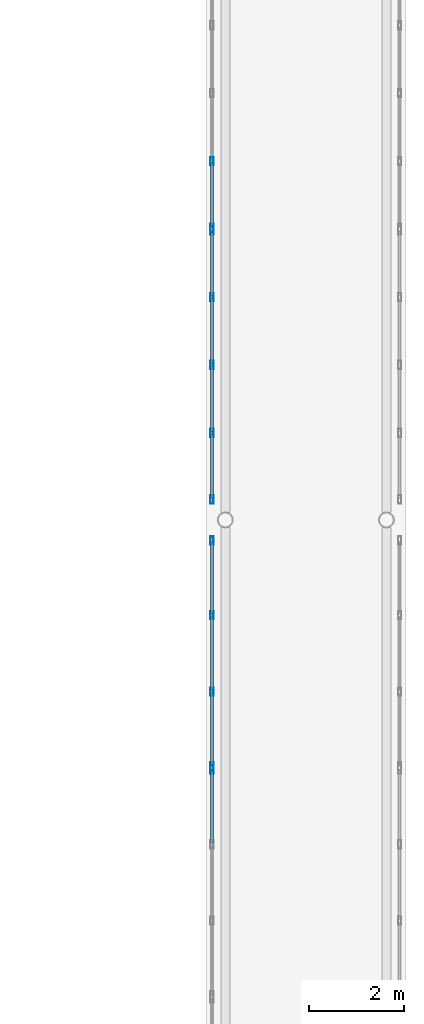
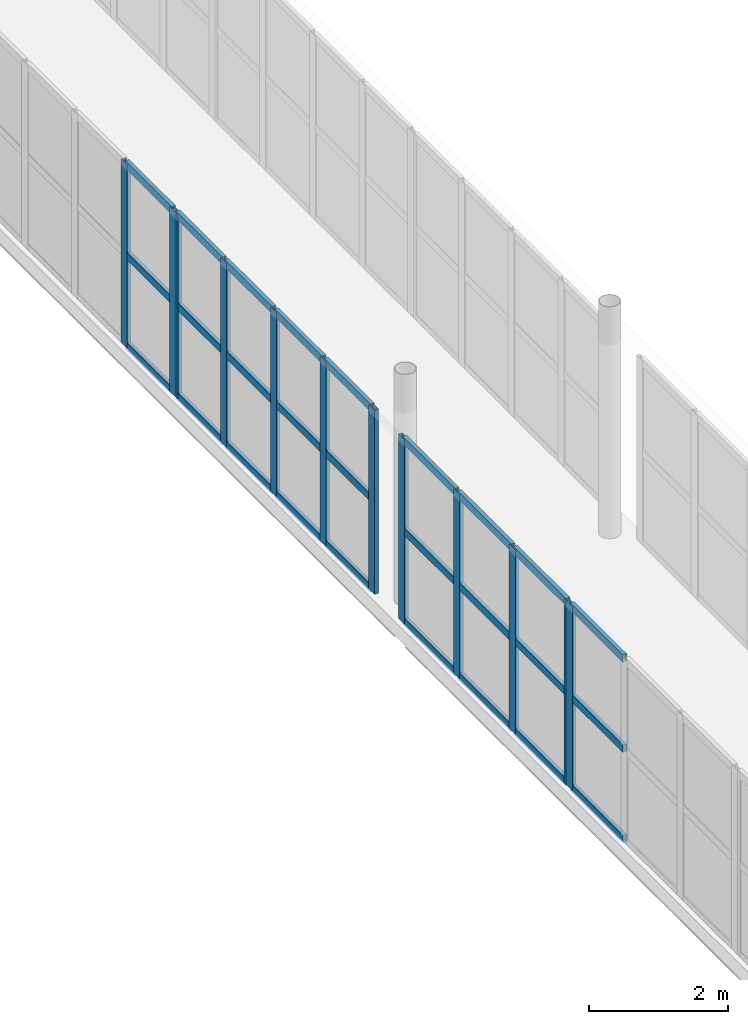
# One storey, part 44 of 146: 39 members, 4 elements without a shape of their own.
"""IFC4 building model written with IfcOpenShell, lengths in metres."""

from ifc_helpers import new_model, si_unit, direction, frame, origin, origin_2d, place, context, subcontext, project, spatial, hollow_rectangle, extrude, material, layer, layer_set, material_profile, profile_set, type_object, element, aggregate, save


model = new_model("IFC4")

# Units and contexts
model_context = context("Model", 3, precision=1e-05, world=origin(), true_north=direction((0.0, 1.0)))
body_context = subcontext(model_context, "Body", "Model", "MODEL_VIEW")
ifc_project = project(units=[si_unit("LENGTHUNIT", "METRE"), si_unit("AREAUNIT", "SQUARE_METRE"), si_unit("VOLUMEUNIT", "CUBIC_METRE"), si_unit("PLANEANGLEUNIT", "RADIAN"), si_unit("MASSUNIT", "GRAM", prefix="KILO")], contexts=[model_context])

# Site, building, storey
site_placement = place(None, origin())
site = spatial("IfcSite", under=ifc_project, at=site_placement, CompositionType="ELEMENT")
building_placement = place(site_placement, origin())
building = spatial("IfcBuilding", under=site, at=building_placement, Name="Valcora Specialist Clinic", CompositionType="ELEMENT")
storey_placement = place(building_placement, frame((0.0, 0.0, 9.52001953125)))
storey = spatial("IfcBuildingStorey", under=building, at=storey_placement, Name="L02", CompositionType="ELEMENT", Elevation=9.52001953125)

# Curtain wall, member
ifc_material = material(Name="Anodized Bronze Aluminium 6063-T6", Category="aluminium")
ifc_layer = layer(ifc_material, 0.175048828125)
ifc_layer_set = layer_set([ifc_layer], Name="Anodized Bronze Aluminium 6063-T6")
curtain_wall_type = type_object("IfcCurtainWallType", Name="TY-CW-BRG14", PredefinedType="NOTDEFINED", material=ifc_layer_set)
curtain_wall_1_placement = place(storey_placement, origin())
curtain_wall_1 = element("IfcCurtainWall", 1, at=curtain_wall_1_placement, inside=storey, type_object=curtain_wall_type, Name="Curtain wall CW-L02-250", PredefinedType="NOTDEFINED")
ifc_material_profile_1 = material_profile(ifc_material, hollow_rectangle(XDim=0.06494140625, YDim=0.175048828125, WallThickness=0.00390625, at=origin_2d()), Name="AL-MUL-65X175")
ifc_profile_set_1 = profile_set([ifc_material_profile_1], Name="Anodized Bronze Aluminium 6063-T6")
member_type_1 = type_object("IfcMemberType", Name="TY-CWM-65X175", PredefinedType="MULLION", material=ifc_profile_set_1)
member_1_placement = place(storey_placement, frame((61.320068359375, 32.734130859375, 0.0), z_axis=(0.0, 0.0, 1.0), x_axis=(-1.0, 0.0, 0.0)))
member_1 = element("IfcMember", 2, at=member_1_placement, type_object=member_type_1, Name="CW-BRG-14 mullion 4", PredefinedType="MULLION", context=body_context, shape_type="SweptSolid", body=[
    extrude(hollow_rectangle(XDim=0.06494140625, YDim=0.175048828125, WallThickness=0.00390625, at=origin_2d()), origin(), (0.0, 0.0, 1.0), 3.239990234375),
])

# Curtain wall, members
curtain_wall_2_placement = place(storey_placement, origin())
curtain_wall_2 = element("IfcCurtainWall", 3, at=curtain_wall_2_placement, inside=storey, type_object=curtain_wall_type, Name="Curtain wall CW-L02-251", PredefinedType="NOTDEFINED")
member_2_placement = place(storey_placement, frame((61.320068359375, 32.79931640625, 0.0), z_axis=(0.0, 0.0, 1.0), x_axis=(-1.0, 0.0, 0.0)))
member_2 = element("IfcMember", 4, at=member_2_placement, type_object=member_type_1, Name="CW-BRG-14 mullion 1", PredefinedType="MULLION", context=body_context, shape_type="SweptSolid", body=[
    extrude(hollow_rectangle(XDim=0.06494140625, YDim=0.175048828125, WallThickness=0.00390625, at=origin_2d()), origin(), (0.0, 0.0, 1.0), 3.239990234375),
])
member_3_placement = place(storey_placement, frame((61.320068359375, 34.377685546875, 0.0), z_axis=(0.0, 0.0, 1.0), x_axis=(-1.0, 0.0, 0.0)))
member_3 = element("IfcMember", 5, at=member_3_placement, type_object=member_type_1, Name="CW-BRG-14 mullion 2", PredefinedType="MULLION", context=body_context, shape_type="SweptSolid", body=[
    extrude(hollow_rectangle(XDim=0.06494140625, YDim=0.175048828125, WallThickness=0.00390625, at=origin_2d()), origin(), (0.0, 0.0, 1.0), 3.239990234375),
])
member_4_placement = place(storey_placement, frame((61.320068359375, 35.989013671875, 0.0), z_axis=(0.0, 0.0, 1.0), x_axis=(-1.0, 0.0, 0.0)))
member_4 = element("IfcMember", 6, at=member_4_placement, type_object=member_type_1, Name="CW-BRG-14 mullion 3", PredefinedType="MULLION", context=body_context, shape_type="SweptSolid", body=[
    extrude(hollow_rectangle(XDim=0.06494140625, YDim=0.175048828125, WallThickness=0.00390625, at=origin_2d()), origin(), (0.0, 0.0, 1.0), 3.239990234375),
])
member_5_placement = place(storey_placement, frame((61.320068359375, 37.5673828125, 0.0), z_axis=(0.0, 0.0, 1.0), x_axis=(-1.0, 0.0, 0.0)))
member_5 = element("IfcMember", 7, at=member_5_placement, type_object=member_type_1, Name="CW-BRG-14 mullion 4", PredefinedType="MULLION", context=body_context, shape_type="SweptSolid", body=[
    extrude(hollow_rectangle(XDim=0.06494140625, YDim=0.175048828125, WallThickness=0.00390625, at=origin_2d()), origin(), (0.0, 0.0, 1.0), 3.239990234375),
])

curtain_wall_3_placement = place(storey_placement, origin())
curtain_wall_3 = element("IfcCurtainWall", 8, at=curtain_wall_3_placement, inside=storey, type_object=curtain_wall_type, Name="Curtain wall CW-L02-252", PredefinedType="NOTDEFINED")
member_6_placement = place(storey_placement, frame((61.320068359375, 38.4326171875, 0.0), z_axis=(0.0, 0.0, 1.0), x_axis=(-1.0, 0.0, 0.0)))
member_6 = element("IfcMember", 9, at=member_6_placement, type_object=member_type_1, Name="CW-BRG-14 mullion 1", PredefinedType="MULLION", context=body_context, shape_type="SweptSolid", body=[
    extrude(hollow_rectangle(XDim=0.06494140625, YDim=0.175048828125, WallThickness=0.00390625, at=origin_2d()), origin(), (0.0, 0.0, 1.0), 3.239990234375),
])
member_7_placement = place(storey_placement, frame((61.320068359375, 39.833251953125, 0.0), z_axis=(0.0, 0.0, 1.0), x_axis=(-1.0, 0.0, 0.0)))
member_7 = element("IfcMember", 10, at=member_7_placement, type_object=member_type_1, Name="CW-BRG-14 mullion 2", PredefinedType="MULLION", context=body_context, shape_type="SweptSolid", body=[
    extrude(hollow_rectangle(XDim=0.06494140625, YDim=0.175048828125, WallThickness=0.00390625, at=origin_2d()), origin(), (0.0, 0.0, 1.0), 3.239990234375),
])
member_8_placement = place(storey_placement, frame((61.320068359375, 41.2666015625, 0.0), z_axis=(0.0, 0.0, 1.0), x_axis=(-1.0, 0.0, 0.0)))
member_8 = element("IfcMember", 11, at=member_8_placement, type_object=member_type_1, Name="CW-BRG-14 mullion 3", PredefinedType="MULLION", context=body_context, shape_type="SweptSolid", body=[
    extrude(hollow_rectangle(XDim=0.06494140625, YDim=0.175048828125, WallThickness=0.00390625, at=origin_2d()), origin(), (0.0, 0.0, 1.0), 3.239990234375),
])
member_9_placement = place(storey_placement, frame((61.320068359375, 42.699951171875, 0.0), z_axis=(0.0, 0.0, 1.0), x_axis=(-1.0, 0.0, 0.0)))
member_9 = element("IfcMember", 12, at=member_9_placement, type_object=member_type_1, Name="CW-BRG-14 mullion 4", PredefinedType="MULLION", context=body_context, shape_type="SweptSolid", body=[
    extrude(hollow_rectangle(XDim=0.06494140625, YDim=0.175048828125, WallThickness=0.00390625, at=origin_2d()), origin(), (0.0, 0.0, 1.0), 3.239990234375),
])
member_10_placement = place(storey_placement, frame((61.320068359375, 44.100830078125, 0.0), z_axis=(0.0, 0.0, 1.0), x_axis=(-1.0, 0.0, 0.0)))
member_10 = element("IfcMember", 13, at=member_10_placement, type_object=member_type_1, Name="CW-BRG-14 mullion 5", PredefinedType="MULLION", context=body_context, shape_type="SweptSolid", body=[
    extrude(hollow_rectangle(XDim=0.06494140625, YDim=0.175048828125, WallThickness=0.00390625, at=origin_2d()), origin(), (0.0, 0.0, 1.0), 3.239990234375),
])

curtain_wall_4_placement = place(storey_placement, origin())
curtain_wall_4 = element("IfcCurtainWall", 14, at=curtain_wall_4_placement, inside=storey, type_object=curtain_wall_type, Name="Curtain wall CW-L02-253", PredefinedType="NOTDEFINED")
member_11_placement = place(storey_placement, frame((61.320068359375, 44.165771484375, 0.0), z_axis=(0.0, 0.0, 1.0), x_axis=(-1.0, 0.0, 0.0)))
member_11 = element("IfcMember", 15, at=member_11_placement, type_object=member_type_1, Name="CW-BRG-14 mullion 1", PredefinedType="MULLION", context=body_context, shape_type="SweptSolid", body=[
    extrude(hollow_rectangle(XDim=0.06494140625, YDim=0.175048828125, WallThickness=0.00390625, at=origin_2d()), origin(), (0.0, 0.0, 1.0), 3.239990234375),
])
member_12_placement = place(storey_placement, frame((61.320068359375, 45.566650390625, 0.0), z_axis=(0.0, 0.0, 1.0), x_axis=(-1.0, 0.0, 0.0)))
member_12 = element("IfcMember", 16, at=member_12_placement, type_object=member_type_1, Name="CW-BRG-14 mullion 2", PredefinedType="MULLION", context=body_context, shape_type="SweptSolid", body=[
    extrude(hollow_rectangle(XDim=0.06494140625, YDim=0.175048828125, WallThickness=0.00390625, at=origin_2d()), origin(), (0.0, 0.0, 1.0), 3.239990234375),
])

# Member
ifc_material_profile_2 = material_profile(ifc_material, hollow_rectangle(XDim=0.06494140625, YDim=0.1298828125, WallThickness=0.00390625, at=origin_2d()), Name="AL-TRN-65X130")
ifc_profile_set_2 = profile_set([ifc_material_profile_2], Name="Anodized Bronze Aluminium 6063-T6")
member_type_2 = type_object("IfcMemberType", Name="TY-CWT-65X130", PredefinedType="USERDEFINED", material=ifc_profile_set_2)
member_13_placement = place(storey_placement, frame((61.320068359375, 31.18798828125, 0.032470703125), z_axis=(0.0, 1.0, 0.0), x_axis=(-1.0, 0.0, 0.0)))
member_13 = element("IfcMember", 17, at=member_13_placement, type_object=member_type_2, Name="CW-BRG-14 transom 3.1", ObjectType="TRANSOM", PredefinedType="USERDEFINED", context=body_context, shape_type="SweptSolid", body=[
    extrude(hollow_rectangle(XDim=0.06494140625, YDim=0.1298828125, WallThickness=0.00390625, at=origin_2d()), origin(), (0.0, 0.0, 1.0), 1.513671875),
])

member_14_placement = place(storey_placement, frame((61.320068359375, 31.18798828125, 1.619873046875), z_axis=(0.0, 1.0, 0.0), x_axis=(-1.0, 0.0, 0.0)))
member_14 = element("IfcMember", 18, at=member_14_placement, type_object=member_type_2, Name="CW-BRG-14 transom 3.2", ObjectType="TRANSOM", PredefinedType="USERDEFINED", context=body_context, shape_type="SweptSolid", body=[
    extrude(hollow_rectangle(XDim=0.06494140625, YDim=0.1298828125, WallThickness=0.00390625, at=origin_2d()), origin(), (0.0, 0.0, 1.0), 1.513671875),
])

member_15_placement = place(storey_placement, frame((61.320068359375, 31.18798828125, 3.20751953125), z_axis=(0.0, 1.0, 0.0), x_axis=(-1.0, 0.0, 0.0)))
member_15 = element("IfcMember", 19, at=member_15_placement, type_object=member_type_2, Name="CW-BRG-14 transom 3.3", ObjectType="TRANSOM", PredefinedType="USERDEFINED", context=body_context, shape_type="SweptSolid", body=[
    extrude(hollow_rectangle(XDim=0.06494140625, YDim=0.1298828125, WallThickness=0.00390625, at=origin_2d()), origin(), (0.0, 0.0, 1.0), 1.513671875),
])

aggregate(curtain_wall_1, [member_1, member_13, member_14, member_15])

member_16_placement = place(storey_placement, frame((61.320068359375, 32.831787109375, 0.032470703125), z_axis=(0.0, 1.0, 0.0), x_axis=(-1.0, 0.0, 0.0)))
member_16 = element("IfcMember", 20, at=member_16_placement, type_object=member_type_2, Name="CW-BRG-14 transom 1.1", ObjectType="TRANSOM", PredefinedType="USERDEFINED", context=body_context, shape_type="SweptSolid", body=[
    extrude(hollow_rectangle(XDim=0.06494140625, YDim=0.1298828125, WallThickness=0.00390625, at=origin_2d()), origin(), (0.0, 0.0, 1.0), 1.513427734375),
])

member_17_placement = place(storey_placement, frame((61.320068359375, 32.831787109375, 1.619873046875), z_axis=(0.0, 1.0, 0.0), x_axis=(-1.0, 0.0, 0.0)))
member_17 = element("IfcMember", 21, at=member_17_placement, type_object=member_type_2, Name="CW-BRG-14 transom 1.2", ObjectType="TRANSOM", PredefinedType="USERDEFINED", context=body_context, shape_type="SweptSolid", body=[
    extrude(hollow_rectangle(XDim=0.06494140625, YDim=0.1298828125, WallThickness=0.00390625, at=origin_2d()), origin(), (0.0, 0.0, 1.0), 1.513427734375),
])

member_18_placement = place(storey_placement, frame((61.320068359375, 32.831787109375, 3.20751953125), z_axis=(0.0, 1.0, 0.0), x_axis=(-1.0, 0.0, 0.0)))
member_18 = element("IfcMember", 22, at=member_18_placement, type_object=member_type_2, Name="CW-BRG-14 transom 1.3", ObjectType="TRANSOM", PredefinedType="USERDEFINED", context=body_context, shape_type="SweptSolid", body=[
    extrude(hollow_rectangle(XDim=0.06494140625, YDim=0.1298828125, WallThickness=0.00390625, at=origin_2d()), origin(), (0.0, 0.0, 1.0), 1.513427734375),
])

member_19_placement = place(storey_placement, frame((61.320068359375, 34.410400390625, 0.032470703125), z_axis=(0.0, 1.0, 0.0), x_axis=(-1.0, 0.0, 0.0)))
member_19 = element("IfcMember", 23, at=member_19_placement, type_object=member_type_2, Name="CW-BRG-14 transom 2.1", ObjectType="TRANSOM", PredefinedType="USERDEFINED", context=body_context, shape_type="SweptSolid", body=[
    extrude(hollow_rectangle(XDim=0.06494140625, YDim=0.1298828125, WallThickness=0.00390625, at=origin_2d()), origin(), (0.0, 0.0, 1.0), 1.5458984375),
])

member_20_placement = place(storey_placement, frame((61.320068359375, 34.410400390625, 1.619873046875), z_axis=(0.0, 1.0, 0.0), x_axis=(-1.0, 0.0, 0.0)))
member_20 = element("IfcMember", 24, at=member_20_placement, type_object=member_type_2, Name="CW-BRG-14 transom 2.2", ObjectType="TRANSOM", PredefinedType="USERDEFINED", context=body_context, shape_type="SweptSolid", body=[
    extrude(hollow_rectangle(XDim=0.06494140625, YDim=0.1298828125, WallThickness=0.00390625, at=origin_2d()), origin(), (0.0, 0.0, 1.0), 1.5458984375),
])

member_21_placement = place(storey_placement, frame((61.320068359375, 34.410400390625, 3.20751953125), z_axis=(0.0, 1.0, 0.0), x_axis=(-1.0, 0.0, 0.0)))
member_21 = element("IfcMember", 25, at=member_21_placement, type_object=member_type_2, Name="CW-BRG-14 transom 2.3", ObjectType="TRANSOM", PredefinedType="USERDEFINED", context=body_context, shape_type="SweptSolid", body=[
    extrude(hollow_rectangle(XDim=0.06494140625, YDim=0.1298828125, WallThickness=0.00390625, at=origin_2d()), origin(), (0.0, 0.0, 1.0), 1.5458984375),
])

member_22_placement = place(storey_placement, frame((61.320068359375, 36.021484375, 0.032470703125), z_axis=(0.0, 1.0, 0.0), x_axis=(-1.0, 0.0, 0.0)))
member_22 = element("IfcMember", 26, at=member_22_placement, type_object=member_type_2, Name="CW-BRG-14 transom 3.1", ObjectType="TRANSOM", PredefinedType="USERDEFINED", context=body_context, shape_type="SweptSolid", body=[
    extrude(hollow_rectangle(XDim=0.06494140625, YDim=0.1298828125, WallThickness=0.00390625, at=origin_2d()), origin(), (0.0, 0.0, 1.0), 1.513427734375),
])

member_23_placement = place(storey_placement, frame((61.320068359375, 36.021484375, 1.619873046875), z_axis=(0.0, 1.0, 0.0), x_axis=(-1.0, 0.0, 0.0)))
member_23 = element("IfcMember", 27, at=member_23_placement, type_object=member_type_2, Name="CW-BRG-14 transom 3.2", ObjectType="TRANSOM", PredefinedType="USERDEFINED", context=body_context, shape_type="SweptSolid", body=[
    extrude(hollow_rectangle(XDim=0.06494140625, YDim=0.1298828125, WallThickness=0.00390625, at=origin_2d()), origin(), (0.0, 0.0, 1.0), 1.513427734375),
])

member_24_placement = place(storey_placement, frame((61.320068359375, 36.021484375, 3.20751953125), z_axis=(0.0, 1.0, 0.0), x_axis=(-1.0, 0.0, 0.0)))
member_24 = element("IfcMember", 28, at=member_24_placement, type_object=member_type_2, Name="CW-BRG-14 transom 3.3", ObjectType="TRANSOM", PredefinedType="USERDEFINED", context=body_context, shape_type="SweptSolid", body=[
    extrude(hollow_rectangle(XDim=0.06494140625, YDim=0.1298828125, WallThickness=0.00390625, at=origin_2d()), origin(), (0.0, 0.0, 1.0), 1.513427734375),
])

aggregate(curtain_wall_2, [member_2, member_3, member_4, member_5, member_16, member_17, member_18, member_19, member_20, member_21, member_22, member_23, member_24])

member_25_placement = place(storey_placement, frame((61.320068359375, 38.465087890625, 0.032470703125), z_axis=(0.0, 1.0, 0.0), x_axis=(-1.0, 0.0, 0.0)))
member_25 = element("IfcMember", 29, at=member_25_placement, type_object=member_type_2, Name="CW-BRG-14 transom 1.1", ObjectType="TRANSOM", PredefinedType="USERDEFINED", context=body_context, shape_type="SweptSolid", body=[
    extrude(hollow_rectangle(XDim=0.06494140625, YDim=0.1298828125, WallThickness=0.00390625, at=origin_2d()), origin(), (0.0, 0.0, 1.0), 1.335693359375),
])

member_26_placement = place(storey_placement, frame((61.320068359375, 38.465087890625, 1.619873046875), z_axis=(0.0, 1.0, 0.0), x_axis=(-1.0, 0.0, 0.0)))
member_26 = element("IfcMember", 30, at=member_26_placement, type_object=member_type_2, Name="CW-BRG-14 transom 1.2", ObjectType="TRANSOM", PredefinedType="USERDEFINED", context=body_context, shape_type="SweptSolid", body=[
    extrude(hollow_rectangle(XDim=0.06494140625, YDim=0.1298828125, WallThickness=0.00390625, at=origin_2d()), origin(), (0.0, 0.0, 1.0), 1.335693359375),
])

member_27_placement = place(storey_placement, frame((61.320068359375, 38.465087890625, 3.20751953125), z_axis=(0.0, 1.0, 0.0), x_axis=(-1.0, 0.0, 0.0)))
member_27 = element("IfcMember", 31, at=member_27_placement, type_object=member_type_2, Name="CW-BRG-14 transom 1.3", ObjectType="TRANSOM", PredefinedType="USERDEFINED", context=body_context, shape_type="SweptSolid", body=[
    extrude(hollow_rectangle(XDim=0.06494140625, YDim=0.1298828125, WallThickness=0.00390625, at=origin_2d()), origin(), (0.0, 0.0, 1.0), 1.335693359375),
])

member_28_placement = place(storey_placement, frame((61.320068359375, 39.86572265625, 0.032470703125), z_axis=(0.0, 1.0, 0.0), x_axis=(-1.0, 0.0, 0.0)))
member_28 = element("IfcMember", 32, at=member_28_placement, type_object=member_type_2, Name="CW-BRG-14 transom 2.1", ObjectType="TRANSOM", PredefinedType="USERDEFINED", context=body_context, shape_type="SweptSolid", body=[
    extrude(hollow_rectangle(XDim=0.06494140625, YDim=0.1298828125, WallThickness=0.00390625, at=origin_2d()), origin(), (0.0, 0.0, 1.0), 1.368408203125),
])

member_29_placement = place(storey_placement, frame((61.320068359375, 39.86572265625, 1.619873046875), z_axis=(0.0, 1.0, 0.0), x_axis=(-1.0, 0.0, 0.0)))
member_29 = element("IfcMember", 33, at=member_29_placement, type_object=member_type_2, Name="CW-BRG-14 transom 2.2", ObjectType="TRANSOM", PredefinedType="USERDEFINED", context=body_context, shape_type="SweptSolid", body=[
    extrude(hollow_rectangle(XDim=0.06494140625, YDim=0.1298828125, WallThickness=0.00390625, at=origin_2d()), origin(), (0.0, 0.0, 1.0), 1.368408203125),
])

member_30_placement = place(storey_placement, frame((61.320068359375, 39.86572265625, 3.20751953125), z_axis=(0.0, 1.0, 0.0), x_axis=(-1.0, 0.0, 0.0)))
member_30 = element("IfcMember", 34, at=member_30_placement, type_object=member_type_2, Name="CW-BRG-14 transom 2.3", ObjectType="TRANSOM", PredefinedType="USERDEFINED", context=body_context, shape_type="SweptSolid", body=[
    extrude(hollow_rectangle(XDim=0.06494140625, YDim=0.1298828125, WallThickness=0.00390625, at=origin_2d()), origin(), (0.0, 0.0, 1.0), 1.368408203125),
])

member_31_placement = place(storey_placement, frame((61.320068359375, 41.299072265625, 0.032470703125), z_axis=(0.0, 1.0, 0.0), x_axis=(-1.0, 0.0, 0.0)))
member_31 = element("IfcMember", 35, at=member_31_placement, type_object=member_type_2, Name="CW-BRG-14 transom 3.1", ObjectType="TRANSOM", PredefinedType="USERDEFINED", context=body_context, shape_type="SweptSolid", body=[
    extrude(hollow_rectangle(XDim=0.06494140625, YDim=0.1298828125, WallThickness=0.00390625, at=origin_2d()), origin(), (0.0, 0.0, 1.0), 1.368408203125),
])

member_32_placement = place(storey_placement, frame((61.320068359375, 41.299072265625, 1.619873046875), z_axis=(0.0, 1.0, 0.0), x_axis=(-1.0, 0.0, 0.0)))
member_32 = element("IfcMember", 36, at=member_32_placement, type_object=member_type_2, Name="CW-BRG-14 transom 3.2", ObjectType="TRANSOM", PredefinedType="USERDEFINED", context=body_context, shape_type="SweptSolid", body=[
    extrude(hollow_rectangle(XDim=0.06494140625, YDim=0.1298828125, WallThickness=0.00390625, at=origin_2d()), origin(), (0.0, 0.0, 1.0), 1.368408203125),
])

member_33_placement = place(storey_placement, frame((61.320068359375, 41.299072265625, 3.20751953125), z_axis=(0.0, 1.0, 0.0), x_axis=(-1.0, 0.0, 0.0)))
member_33 = element("IfcMember", 37, at=member_33_placement, type_object=member_type_2, Name="CW-BRG-14 transom 3.3", ObjectType="TRANSOM", PredefinedType="USERDEFINED", context=body_context, shape_type="SweptSolid", body=[
    extrude(hollow_rectangle(XDim=0.06494140625, YDim=0.1298828125, WallThickness=0.00390625, at=origin_2d()), origin(), (0.0, 0.0, 1.0), 1.368408203125),
])

member_34_placement = place(storey_placement, frame((61.320068359375, 42.732421875, 0.032470703125), z_axis=(0.0, 1.0, 0.0), x_axis=(-1.0, 0.0, 0.0)))
member_34 = element("IfcMember", 38, at=member_34_placement, type_object=member_type_2, Name="CW-BRG-14 transom 4.1", ObjectType="TRANSOM", PredefinedType="USERDEFINED", context=body_context, shape_type="SweptSolid", body=[
    extrude(hollow_rectangle(XDim=0.06494140625, YDim=0.1298828125, WallThickness=0.00390625, at=origin_2d()), origin(), (0.0, 0.0, 1.0), 1.3359375),
])

member_35_placement = place(storey_placement, frame((61.320068359375, 42.732421875, 1.619873046875), z_axis=(0.0, 1.0, 0.0), x_axis=(-1.0, 0.0, 0.0)))
member_35 = element("IfcMember", 39, at=member_35_placement, type_object=member_type_2, Name="CW-BRG-14 transom 4.2", ObjectType="TRANSOM", PredefinedType="USERDEFINED", context=body_context, shape_type="SweptSolid", body=[
    extrude(hollow_rectangle(XDim=0.06494140625, YDim=0.1298828125, WallThickness=0.00390625, at=origin_2d()), origin(), (0.0, 0.0, 1.0), 1.3359375),
])

member_36_placement = place(storey_placement, frame((61.320068359375, 42.732421875, 3.20751953125), z_axis=(0.0, 1.0, 0.0), x_axis=(-1.0, 0.0, 0.0)))
member_36 = element("IfcMember", 40, at=member_36_placement, type_object=member_type_2, Name="CW-BRG-14 transom 4.3", ObjectType="TRANSOM", PredefinedType="USERDEFINED", context=body_context, shape_type="SweptSolid", body=[
    extrude(hollow_rectangle(XDim=0.06494140625, YDim=0.1298828125, WallThickness=0.00390625, at=origin_2d()), origin(), (0.0, 0.0, 1.0), 1.3359375),
])

aggregate(curtain_wall_3, [member_6, member_7, member_8, member_9, member_10, member_25, member_26, member_27, member_28, member_29, member_30, member_31, member_32, member_33, member_34, member_35, member_36])

member_37_placement = place(storey_placement, frame((61.320068359375, 44.1982421875, 0.032470703125), z_axis=(0.0, 1.0, 0.0), x_axis=(-1.0, 0.0, 0.0)))
member_37 = element("IfcMember", 41, at=member_37_placement, type_object=member_type_2, Name="CW-BRG-14 transom 1.1", ObjectType="TRANSOM", PredefinedType="USERDEFINED", context=body_context, shape_type="SweptSolid", body=[
    extrude(hollow_rectangle(XDim=0.06494140625, YDim=0.1298828125, WallThickness=0.00390625, at=origin_2d()), origin(), (0.0, 0.0, 1.0), 1.3359375),
])

member_38_placement = place(storey_placement, frame((61.320068359375, 44.1982421875, 1.619873046875), z_axis=(0.0, 1.0, 0.0), x_axis=(-1.0, 0.0, 0.0)))
member_38 = element("IfcMember", 42, at=member_38_placement, type_object=member_type_2, Name="CW-BRG-14 transom 1.2", ObjectType="TRANSOM", PredefinedType="USERDEFINED", context=body_context, shape_type="SweptSolid", body=[
    extrude(hollow_rectangle(XDim=0.06494140625, YDim=0.1298828125, WallThickness=0.00390625, at=origin_2d()), origin(), (0.0, 0.0, 1.0), 1.3359375),
])

member_39_placement = place(storey_placement, frame((61.320068359375, 44.1982421875, 3.20751953125), z_axis=(0.0, 1.0, 0.0), x_axis=(-1.0, 0.0, 0.0)))
member_39 = element("IfcMember", 43, at=member_39_placement, type_object=member_type_2, Name="CW-BRG-14 transom 1.3", ObjectType="TRANSOM", PredefinedType="USERDEFINED", context=body_context, shape_type="SweptSolid", body=[
    extrude(hollow_rectangle(XDim=0.06494140625, YDim=0.1298828125, WallThickness=0.00390625, at=origin_2d()), origin(), (0.0, 0.0, 1.0), 1.3359375),
])

aggregate(curtain_wall_4, [member_11, member_12, member_37, member_38, member_39])

save(model, "model.ifc")
